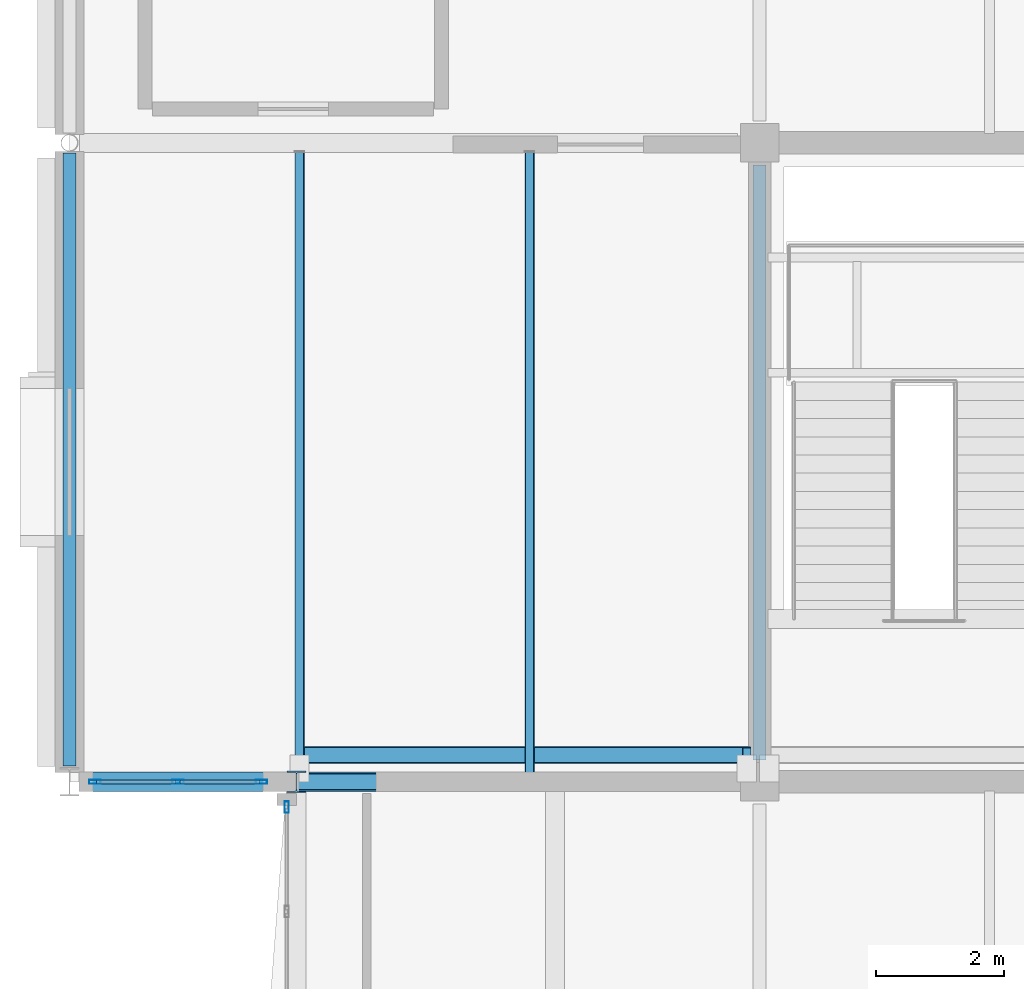
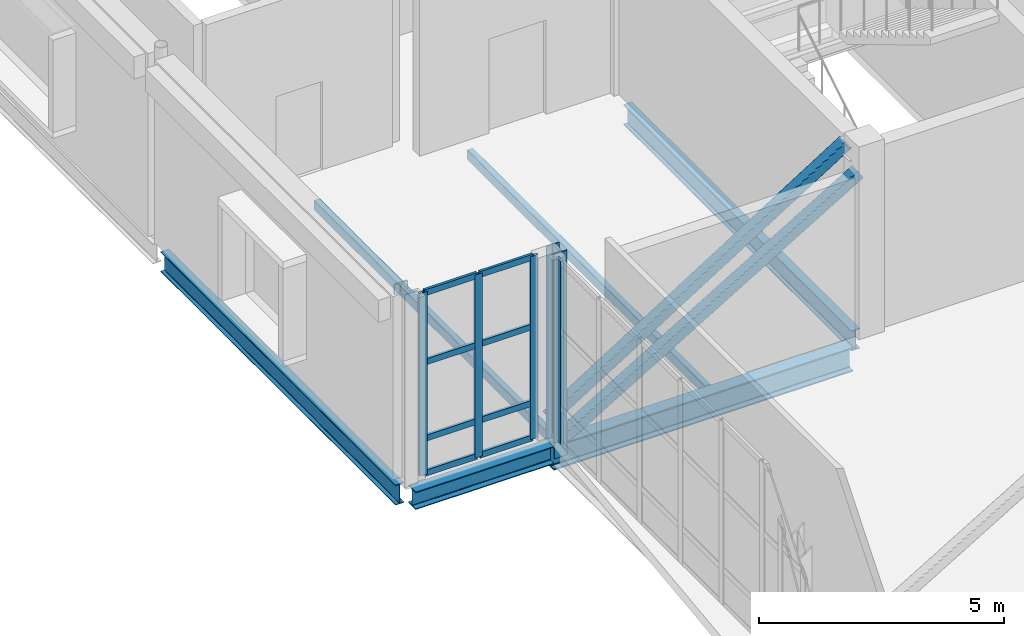
# One storey, part 41 of 100: 15 members, 6 beams, 2 elements without a shape of their own.
"""IFC4 building model written with IfcOpenShell, lengths in metres."""

from ifc_helpers import new_model, si_unit, direction, frame, origin, origin_2d, place, context, subcontext, project, spatial, hollow_rectangle, i_section, extrude, material, layer, layer_set, material_profile, profile_set, type_object, element, aggregate, save


model = new_model("IFC4")

# Units and contexts
model_context = context("Model", 3, precision=1e-05, world=origin(), true_north=direction((0.0, 1.0)))
body_context = subcontext(model_context, "Body", "Model", "MODEL_VIEW")
ifc_project = project(units=[si_unit("LENGTHUNIT", "METRE"), si_unit("AREAUNIT", "SQUARE_METRE"), si_unit("VOLUMEUNIT", "CUBIC_METRE"), si_unit("PLANEANGLEUNIT", "RADIAN"), si_unit("MASSUNIT", "GRAM", prefix="KILO")], contexts=[model_context])

# Site, building, storey
site_placement = place(None, origin())
site = spatial("IfcSite", under=ifc_project, at=site_placement, CompositionType="ELEMENT")
building_placement = place(site_placement, origin())
building = spatial("IfcBuilding", under=site, at=building_placement, Name="Tasgan Crest Museum", CompositionType="ELEMENT")
storey_placement = place(building_placement, frame((0.0, 0.0, 9.60009765625)))
storey = spatial("IfcBuildingStorey", under=building, at=storey_placement, Name="L02", CompositionType="ELEMENT", Elevation=9.60009765625)

# Beams
ifc_material_1 = material(Name="Steel S355K2", Category="steel")
ifc_material_profile_1 = material_profile(ifc_material_1, i_section(OverallWidth=0.300048828125, OverallDepth=0.60009765625, WebThickness=0.015380859375, FlangeThickness=0.030029296875, FilletRadius=0.027099609375, at=origin_2d()), Name="HEB 600")
ifc_profile_set_1 = profile_set([ifc_material_profile_1], Name="Steel S355K2")
beam_type_1 = type_object("IfcBeamType", Name="BM-CANT-G1", PredefinedType="BEAM", material=ifc_profile_set_1)
beam_1_placement = place(storey_placement, frame((3.39990234375, 82.0, -0.56005859375), z_axis=(1.0, 0.0, 0.0), x_axis=(0.0, 1.0, 0.0)))
element("IfcBeam", 1, at=beam_1_placement, inside=storey, type_object=beam_type_1, Name="Cantilever transfer girder BOT J", PredefinedType="BEAM", context=body_context, shape_type="SweptSolid", body=[
    extrude(i_section(OverallWidth=0.300048828125, OverallDepth=0.60009765625, WebThickness=0.015380859375, FlangeThickness=0.030029296875, FilletRadius=0.027099609375, at=origin_2d()), origin(), (0.0, 0.0, 1.0), 7.05419921875),
])
ifc_material_2 = material(Name="Steel S355J2", Category="steel")
ifc_material_profile_2 = material_profile(ifc_material_2, i_section(OverallWidth=0.300048828125, OverallDepth=0.43994140625, WebThickness=0.011474609375, FlangeThickness=0.02099609375, FilletRadius=0.027099609375, at=origin_2d()), Name="HEA 450")
ifc_profile_set_2 = profile_set([ifc_material_profile_2], Name="Steel S355J2")
beam_type_2 = type_object("IfcBeamType", Name="BM-G-HEA450", PredefinedType="BEAM", material=ifc_profile_set_2)
beam_2_placement = place(storey_placement, frame((0.14501953125, 82.0, -0.47998046875), z_axis=(1.0, 0.0, 0.0), x_axis=(0.0, 1.0, 0.0)))
element("IfcBeam", 2, at=beam_2_placement, inside=storey, type_object=beam_type_2, Name="Girder L02 J 0.0-4.4", PredefinedType="BEAM", context=body_context, shape_type="SweptSolid", body=[
    extrude(i_section(OverallWidth=0.300048828125, OverallDepth=0.43994140625, WebThickness=0.011474609375, FlangeThickness=0.02099609375, FilletRadius=0.027099609375, at=origin_2d()), origin(), (0.0, 0.0, 1.0), 3.2548828125),
])
ifc_material_3 = material(Name="Steel S355J2", Category="steel")
ifc_material_profile_3 = material_profile(ifc_material_3, i_section(OverallWidth=0.199951171875, OverallDepth=0.5, WebThickness=0.01025390625, FlangeThickness=0.01611328125, FilletRadius=0.02099609375, at=origin_2d()), Name="IPE 500")
ifc_profile_set_3 = profile_set([ifc_material_profile_3], Name="Steel S355J2")
beam_type_3 = type_object("IfcBeamType", Name="BM-G-IPE500", PredefinedType="BEAM", material=ifc_profile_set_3)
beam_3_placement = place(storey_placement, frame((0.0, 82.2451171875, -0.489990234375), z_axis=(0.0, 1.0, 0.0), x_axis=(-1.0, 0.0, 0.0)))
element("IfcBeam", 3, at=beam_3_placement, inside=storey, type_object=beam_type_3, Name="Beam L02 1 82.0-92.0", PredefinedType="BEAM", context=body_context, shape_type="SweptSolid", body=[
    extrude(i_section(OverallWidth=0.199951171875, OverallDepth=0.5, WebThickness=0.01025390625, FlangeThickness=0.01611328125, FilletRadius=0.02099609375, at=origin_2d()), origin(), (0.0, 0.0, 1.0), 9.597900390625),
])
beam_4_placement = place(storey_placement, frame((10.800048828125, 82.344970703125, -0.489990234375), z_axis=(0.0, 1.0, 0.0), x_axis=(-1.0, 0.0, 0.0)))
element("IfcBeam", 4, at=beam_4_placement, inside=storey, type_object=beam_type_3, Name="Beam L02 2 82.0-92.0", PredefinedType="BEAM", context=body_context, shape_type="SweptSolid", body=[
    extrude(i_section(OverallWidth=0.199951171875, OverallDepth=0.5, WebThickness=0.01025390625, FlangeThickness=0.01611328125, FilletRadius=0.02099609375, at=origin_2d()), origin(), (0.0, 0.0, 1.0), 9.31005859375),
])
ifc_material_4 = material(Name="Steel S355J2", Category="steel")
ifc_material_profile_4 = material_profile(ifc_material_4, hollow_rectangle(XDim=0.14990234375, YDim=0.25, WallThickness=0.010009765625, InnerFilletRadius=0.010009765625, OuterFilletRadius=0.02001953125, at=origin_2d()), Name="RHS 250x150x10")
ifc_profile_set_4 = profile_set([ifc_material_profile_4], Name="Steel S355J2")
beam_type_4 = type_object("IfcBeamType", Name="BM-J-RHS250", PredefinedType="JOIST", material=ifc_profile_set_4)
for number, where, z_axis, x_axis, name in (
    (5, (3.60009765625, 82.14501953125, -0.364990234375), (0.0, 1.0, 0.0), (-1.0, 0.0, 0.0), "Secondary joist L02 X=3.6 Y=82.0-92.0"),
    (6, (7.199951171875, 82.14501953125, -0.364990234375), (0.0, 1.0, 0.0), (-1.0, 0.0, 0.0), "Secondary joist L02 X=7.2 Y=82.0-92.0"),
):
    element("IfcBeam", number, at=place(storey_placement, frame(where, z_axis=z_axis, x_axis=x_axis)), inside=storey, type_object=beam_type_4, Name=name, PredefinedType="JOIST", context=body_context, shape_type="SweptSolid", body=[
        extrude(hollow_rectangle(XDim=0.14990234375, YDim=0.25, WallThickness=0.010009765625, InnerFilletRadius=0.010009765625, OuterFilletRadius=0.02001953125, at=origin_2d()), origin(), (0.0, 0.0, 1.0), 9.7099609375),
    ])

# Curtain wall, members
ifc_material_5 = material(Name="Triple-Glazed Aluminium Curtain Wall", Category="aluminium")
ifc_layer_1 = layer(ifc_material_5, 0.179931640625, Name="CW-CANT-SIDE-48")
ifc_layer_set_1 = layer_set([ifc_layer_1], Name="Triple-Glazed Aluminium Curtain Wall")
curtain_wall_type_1 = type_object("IfcCurtainWallType", Name="CW-CANT-SIDE-48", PredefinedType="NOTDEFINED", material=ifc_layer_set_1)
curtain_wall_1_placement = place(storey_placement, origin())
curtain_wall_1 = element("IfcCurtainWall", 7, at=curtain_wall_1_placement, inside=storey, type_object=curtain_wall_type_1, Name="Curtain wall L02 093", PredefinedType="NOTDEFINED")
ifc_material_6 = material(Name="Anodised Aluminium", Category="aluminium")
ifc_material_profile_5 = material_profile(ifc_material_6, hollow_rectangle(XDim=0.06494140625, YDim=0.179931640625, WallThickness=0.0048828125, at=origin_2d()), Name="ALU MULLION 180x65x5")
ifc_profile_set_5 = profile_set([ifc_material_profile_5], Name="Anodised Aluminium")
member_type_1 = type_object("IfcMemberType", Name="CW-MULLION-180", PredefinedType="MULLION", material=ifc_profile_set_5)
member_1_placement = place(storey_placement, frame((0.39501953125, 82.0, 0.0), z_axis=(0.0, 0.0, 1.0), x_axis=(0.0, 1.0, 0.0)))
member_1 = element("IfcMember", 8, at=member_1_placement, type_object=member_type_1, Name="CW11 mullion 1", PredefinedType="MULLION", context=body_context, shape_type="SweptSolid", body=[
    extrude(hollow_rectangle(XDim=0.06494140625, YDim=0.179931640625, WallThickness=0.0048828125, at=origin_2d()), origin(), (0.0, 0.0, 1.0), 4.559814453125),
])
member_2_placement = place(storey_placement, frame((1.699951171875, 82.0, 0.0), z_axis=(0.0, 0.0, 1.0), x_axis=(0.0, 1.0, 0.0)))
member_2 = element("IfcMember", 9, at=member_2_placement, type_object=member_type_1, Name="CW11 mullion 2", PredefinedType="MULLION", context=body_context, shape_type="SweptSolid", body=[
    extrude(hollow_rectangle(XDim=0.06494140625, YDim=0.179931640625, WallThickness=0.0048828125, at=origin_2d()), origin(), (0.0, 0.0, 1.0), 4.559814453125),
])
member_3_placement = place(storey_placement, frame((3.0048828125, 82.0, 0.0), z_axis=(0.0, 0.0, 1.0), x_axis=(0.0, 1.0, 0.0)))
member_3 = element("IfcMember", 10, at=member_3_placement, type_object=member_type_1, Name="CW11 mullion 3", PredefinedType="MULLION", context=body_context, shape_type="SweptSolid", body=[
    extrude(hollow_rectangle(XDim=0.06494140625, YDim=0.179931640625, WallThickness=0.0048828125, at=origin_2d()), origin(), (0.0, 0.0, 1.0), 4.559814453125),
])

# Curtain wall, member
ifc_material_7 = material(Name="Triple-Glazed Aluminium Curtain Wall", Category="aluminium")
ifc_layer_2 = layer(ifc_material_7, 0.179931640625, Name="CW-CANT-TIP-48")
ifc_layer_set_2 = layer_set([ifc_layer_2], Name="Triple-Glazed Aluminium Curtain Wall")
curtain_wall_type_2 = type_object("IfcCurtainWallType", Name="CW-CANT-TIP-48", PredefinedType="NOTDEFINED", material=ifc_layer_set_2)
curtain_wall_2_placement = place(storey_placement, origin())
curtain_wall_2 = element("IfcCurtainWall", 11, at=curtain_wall_2_placement, inside=storey, type_object=curtain_wall_type_2, Name="Curtain wall L02 094", PredefinedType="NOTDEFINED")
member_4_placement = place(storey_placement, frame((3.39990234375, 81.60498046875, 0.0), z_axis=(0.0, 0.0, 1.0), x_axis=(1.0, 0.0, 0.0)))
member_4 = element("IfcMember", 12, at=member_4_placement, type_object=member_type_1, Name="CW09 mullion 1", PredefinedType="MULLION", context=body_context, shape_type="SweptSolid", body=[
    extrude(hollow_rectangle(XDim=0.06494140625, YDim=0.179931640625, WallThickness=0.0048828125, at=origin_2d()), origin(), (0.0, 0.0, 1.0), 4.559814453125),
])
aggregate(curtain_wall_2, [member_4])

# Member
ifc_material_8 = material(Name="Anodised Aluminium", Category="aluminium")
ifc_material_profile_6 = material_profile(ifc_material_8, hollow_rectangle(XDim=0.06005859375, YDim=0.14990234375, WallThickness=0.0048828125, at=origin_2d()), Name="ALU TRANSOM 150x60x5")
ifc_profile_set_6 = profile_set([ifc_material_profile_6], Name="Anodised Aluminium")
member_type_2 = type_object("IfcMemberType", Name="CW-TRANSOM-150", PredefinedType="USERDEFINED", material=ifc_profile_set_6)
member_5_placement = place(storey_placement, frame((0.425048828125, 82.0, 0.02978515625), z_axis=(1.0, 0.0, 0.0), x_axis=(0.0, 1.0, 0.0)))
member_5 = element("IfcMember", 13, at=member_5_placement, type_object=member_type_2, Name="CW11 transom 1.1", ObjectType="TRANSOM", PredefinedType="USERDEFINED", context=body_context, shape_type="SweptSolid", body=[
    extrude(hollow_rectangle(XDim=0.06005859375, YDim=0.14990234375, WallThickness=0.0048828125, at=origin_2d()), origin(), (0.0, 0.0, 1.0), 1.244873046875),
])

member_6_placement = place(storey_placement, frame((0.425048828125, 82.0, 0.89990234375), z_axis=(1.0, 0.0, 0.0), x_axis=(0.0, 1.0, 0.0)))
member_6 = element("IfcMember", 14, at=member_6_placement, type_object=member_type_2, Name="CW11 transom 1.2", ObjectType="TRANSOM", PredefinedType="USERDEFINED", context=body_context, shape_type="SweptSolid", body=[
    extrude(hollow_rectangle(XDim=0.06005859375, YDim=0.14990234375, WallThickness=0.0048828125, at=origin_2d()), origin(), (0.0, 0.0, 1.0), 1.244873046875),
])

member_7_placement = place(storey_placement, frame((0.425048828125, 82.0, 2.7998046875), z_axis=(1.0, 0.0, 0.0), x_axis=(0.0, 1.0, 0.0)))
member_7 = element("IfcMember", 15, at=member_7_placement, type_object=member_type_2, Name="CW11 transom 1.3", ObjectType="TRANSOM", PredefinedType="USERDEFINED", context=body_context, shape_type="SweptSolid", body=[
    extrude(hollow_rectangle(XDim=0.06005859375, YDim=0.14990234375, WallThickness=0.0048828125, at=origin_2d()), origin(), (0.0, 0.0, 1.0), 1.244873046875),
])

member_8_placement = place(storey_placement, frame((0.425048828125, 82.0, 4.52978515625), z_axis=(1.0, 0.0, 0.0), x_axis=(0.0, 1.0, 0.0)))
member_8 = element("IfcMember", 16, at=member_8_placement, type_object=member_type_2, Name="CW11 transom 1.4", ObjectType="TRANSOM", PredefinedType="USERDEFINED", context=body_context, shape_type="SweptSolid", body=[
    extrude(hollow_rectangle(XDim=0.06005859375, YDim=0.14990234375, WallThickness=0.0048828125, at=origin_2d()), origin(), (0.0, 0.0, 1.0), 1.244873046875),
])

member_9_placement = place(storey_placement, frame((1.72998046875, 82.0, 0.02978515625), z_axis=(1.0, 0.0, 0.0), x_axis=(0.0, 1.0, 0.0)))
member_9 = element("IfcMember", 17, at=member_9_placement, type_object=member_type_2, Name="CW11 transom 2.1", ObjectType="TRANSOM", PredefinedType="USERDEFINED", context=body_context, shape_type="SweptSolid", body=[
    extrude(hollow_rectangle(XDim=0.06005859375, YDim=0.14990234375, WallThickness=0.0048828125, at=origin_2d()), origin(), (0.0, 0.0, 1.0), 1.2451171875),
])

member_10_placement = place(storey_placement, frame((1.72998046875, 82.0, 0.89990234375), z_axis=(1.0, 0.0, 0.0), x_axis=(0.0, 1.0, 0.0)))
member_10 = element("IfcMember", 18, at=member_10_placement, type_object=member_type_2, Name="CW11 transom 2.2", ObjectType="TRANSOM", PredefinedType="USERDEFINED", context=body_context, shape_type="SweptSolid", body=[
    extrude(hollow_rectangle(XDim=0.06005859375, YDim=0.14990234375, WallThickness=0.0048828125, at=origin_2d()), origin(), (0.0, 0.0, 1.0), 1.2451171875),
])

member_11_placement = place(storey_placement, frame((1.72998046875, 82.0, 2.7998046875), z_axis=(1.0, 0.0, 0.0), x_axis=(0.0, 1.0, 0.0)))
member_11 = element("IfcMember", 19, at=member_11_placement, type_object=member_type_2, Name="CW11 transom 2.3", ObjectType="TRANSOM", PredefinedType="USERDEFINED", context=body_context, shape_type="SweptSolid", body=[
    extrude(hollow_rectangle(XDim=0.06005859375, YDim=0.14990234375, WallThickness=0.0048828125, at=origin_2d()), origin(), (0.0, 0.0, 1.0), 1.2451171875),
])

member_12_placement = place(storey_placement, frame((1.72998046875, 82.0, 4.52978515625), z_axis=(1.0, 0.0, 0.0), x_axis=(0.0, 1.0, 0.0)))
member_12 = element("IfcMember", 20, at=member_12_placement, type_object=member_type_2, Name="CW11 transom 2.4", ObjectType="TRANSOM", PredefinedType="USERDEFINED", context=body_context, shape_type="SweptSolid", body=[
    extrude(hollow_rectangle(XDim=0.06005859375, YDim=0.14990234375, WallThickness=0.0048828125, at=origin_2d()), origin(), (0.0, 0.0, 1.0), 1.2451171875),
])

aggregate(curtain_wall_1, [member_1, member_2, member_3, member_5, member_6, member_7, member_8, member_9, member_10, member_11, member_12])

# Members
ifc_material_9 = material(Name="Steel S355K2", Category="steel")
ifc_material_profile_7 = material_profile(ifc_material_9, hollow_rectangle(XDim=0.260009765625, YDim=0.260009765625, WallThickness=0.01416015625, InnerFilletRadius=0.01416015625, OuterFilletRadius=0.0283203125, at=origin_2d()), Name="SHS 260x260x14.2")
ifc_profile_set_7 = profile_set([ifc_material_profile_7], Name="Steel S355K2")
member_type_3 = type_object("IfcMemberType", Name="TR-CANT-DIAG", PredefinedType="BRACE", material=ifc_profile_set_7)
member_13_placement = place(storey_placement, frame((3.550048828125, 82.0, -0.280029296875), z_axis=(0.858553918599, 0.0, 0.51272328683), x_axis=(0.0, 1.0, 0.0)))
element("IfcMember", 21, at=member_13_placement, inside=storey, type_object=member_type_3, Name="Transfer truss diagonal L02 J-1", PredefinedType="BRACE", context=body_context, shape_type="SweptSolid", body=[
    extrude(hollow_rectangle(XDim=0.260009765625, YDim=0.260009765625, WallThickness=0.01416015625, InnerFilletRadius=0.01416015625, OuterFilletRadius=0.0283203125, at=origin_2d()), origin(), (0.0, 0.0, 1.0), 8.26953125),
])
member_14_placement = place(storey_placement, frame((3.60009765625, 82.419921875, 0.0498046875), z_axis=(0.846628566691, 0.0, 0.532184244471), x_axis=(0.0, 1.0, 0.0)))
element("IfcMember", 22, at=member_14_placement, inside=storey, type_object=member_type_3, Name="Exposed transfer truss diagonal N1", PredefinedType="BRACE", context=body_context, shape_type="SweptSolid", body=[
    extrude(hollow_rectangle(XDim=0.260009765625, YDim=0.260009765625, WallThickness=0.01416015625, InnerFilletRadius=0.01416015625, OuterFilletRadius=0.0283203125, at=origin_2d()), origin(), (0.0, 0.0, 1.0), 8.26806640625),
])
ifc_material_10 = material(Name="Steel S355K2", Category="steel")
ifc_material_profile_8 = material_profile(ifc_material_10, i_section(OverallWidth=0.300048828125, OverallDepth=0.340087890625, WebThickness=0.011962890625, FlangeThickness=0.021484375, FilletRadius=0.027099609375, at=origin_2d()), Name="HEB 340")
ifc_profile_set_8 = profile_set([ifc_material_profile_8], Name="Steel S355K2")
member_type_4 = type_object("IfcMemberType", Name="TR-CANT-POST", PredefinedType="POST", material=ifc_profile_set_8)
member_15_placement = place(storey_placement, frame((3.550048828125, 82.0, -0.56005859375), z_axis=(0.0, 0.0, 1.0), x_axis=(1.0, 0.0, 0.0)))
element("IfcMember", 23, at=member_15_placement, inside=storey, type_object=member_type_4, Name="Cantilever truss tip post L02 J", PredefinedType="POST", context=body_context, shape_type="SweptSolid", body=[
    extrude(i_section(OverallWidth=0.300048828125, OverallDepth=0.340087890625, WebThickness=0.011962890625, FlangeThickness=0.021484375, FilletRadius=0.027099609375, at=origin_2d()), origin(), (0.0, 0.0, 1.0), 5.099853515625),
])

save(model, "model.ifc")
